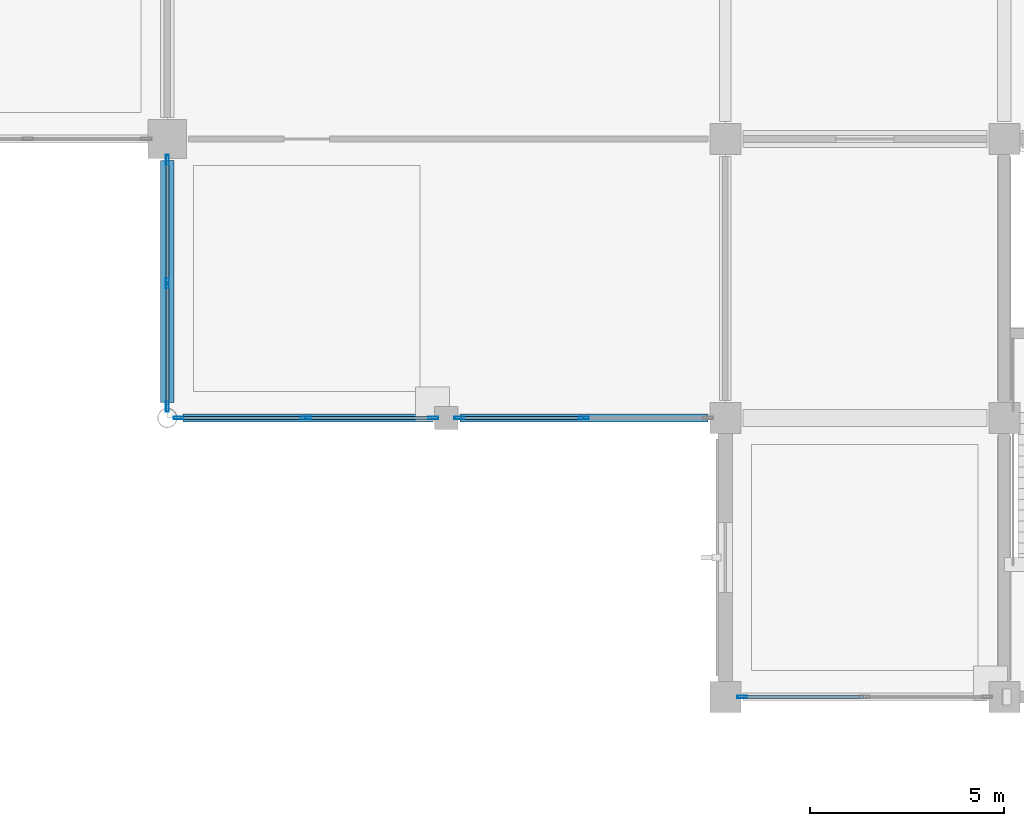
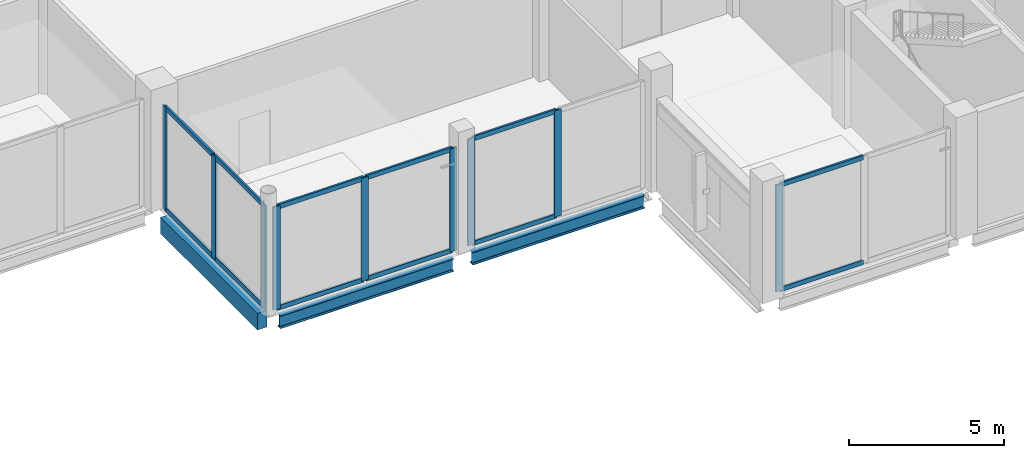
# One storey, part 16 of 99: 21 members, 3 beams, 4 elements without a shape of their own.
"""IFC4 building model written with IfcOpenShell, lengths in metres."""

from ifc_helpers import new_model, si_unit, direction, frame, origin, origin_2d, place, context, subcontext, project, spatial, rectangle, hollow_rectangle, i_section, extrude, material, material_profile, profile_set, type_object, element, aggregate, save


model = new_model("IFC4")

# Units and contexts
model_context = context("Model", 3, precision=1e-05, world=origin(), true_north=direction((0.0, 1.0)))
body_context = subcontext(model_context, "Body", "Model", "MODEL_VIEW")
ifc_project = project(units=[si_unit("LENGTHUNIT", "METRE"), si_unit("AREAUNIT", "SQUARE_METRE"), si_unit("VOLUMEUNIT", "CUBIC_METRE"), si_unit("PLANEANGLEUNIT", "RADIAN"), si_unit("MASSUNIT", "GRAM", prefix="KILO")], contexts=[model_context])

# Site, building, storey
site_placement = place(None, origin())
site = spatial("IfcSite", under=ifc_project, at=site_placement, CompositionType="ELEMENT")
building_placement = place(site_placement, origin())
building = spatial("IfcBuilding", under=site, at=building_placement, Name="Vesperath Aquatics Centre", CompositionType="ELEMENT")
storey_placement = place(building_placement, frame((0.0, 0.0, 5.39990234375)))
storey = spatial("IfcBuildingStorey", under=building, at=storey_placement, Name="L01", CompositionType="ELEMENT", Elevation=5.39990234375)

# Beams
ifc_material_1 = material(Name="Concrete C35", Category="concrete")
ifc_material_profile_1 = material_profile(ifc_material_1, rectangle(XDim=0.35009765625, YDim=0.64990234375, at=origin_2d()), Name="RC 350x650")
ifc_profile_set_1 = profile_set([ifc_material_profile_1], Name="Concrete C35")
beam_type_1 = type_object("IfcBeamType", Name="BM-G05", PredefinedType="BEAM", material=ifc_profile_set_1)
beam_1_placement = place(storey_placement, frame((100.800048828125, 7.60009765625, -0.5849609375), z_axis=(0.0, 1.0, 0.0), x_axis=(-1.0, 0.0, 0.0)))
element("IfcBeam", 1, at=beam_1_placement, inside=storey, type_object=beam_type_1, Name="Floor Girder B05 L01 15 B-C", PredefinedType="BEAM", context=body_context, shape_type="SweptSolid", body=[
    extrude(rectangle(XDim=0.35009765625, YDim=0.64990234375, at=origin_2d()), origin(), (0.0, 0.0, 1.0), 6.25),
])
ifc_material_2 = material(Name="Steel Q355D", Category="steel")
ifc_material_profile_2 = material_profile(ifc_material_2, i_section(OverallWidth=0.199951171875, OverallDepth=0.5, WebThickness=0.010009765625, FlangeThickness=0.01611328125, FilletRadius=0.02001953125, at=origin_2d()), Name="HN 500x200x10x16")
ifc_profile_set_2 = profile_set([ifc_material_profile_2], Name="Steel Q355D")
beam_type_2 = type_object("IfcBeamType", Name="BM-SP01", PredefinedType="SPANDREL", material=ifc_profile_set_2)
beam_2_placement = place(storey_placement, frame((101.199951171875, 7.199951171875, -0.510009765625), z_axis=(1.0, 0.0, 0.0), x_axis=(0.0, 1.0, 0.0)))
element("IfcBeam", 2, at=beam_2_placement, inside=storey, type_object=beam_type_2, Name="Floor Girder SP01 L01 B 15-16", PredefinedType="SPANDREL", context=body_context, shape_type="SweptSolid", body=[
    extrude(i_section(OverallWidth=0.199951171875, OverallDepth=0.5, WebThickness=0.010009765625, FlangeThickness=0.01611328125, FilletRadius=0.02001953125, at=origin_2d()), origin(), (0.0, 0.0, 1.0), 6.449951171875),
])
beam_3_placement = place(storey_placement, frame((108.35009765625, 7.199951171875, -0.510009765625), z_axis=(1.0, 0.0, 0.0), x_axis=(0.0, 1.0, 0.0)))
element("IfcBeam", 3, at=beam_3_placement, inside=storey, type_object=beam_type_2, Name="Floor Girder SP01 L01 B 16-17", PredefinedType="SPANDREL", context=body_context, shape_type="SweptSolid", body=[
    extrude(i_section(OverallWidth=0.199951171875, OverallDepth=0.5, WebThickness=0.010009765625, FlangeThickness=0.01611328125, FilletRadius=0.02001953125, at=origin_2d()), origin(), (0.0, 0.0, 1.0), 6.39990234375),
])

# Curtain wall, member
ifc_material_3 = material(Name="Thermally broken anodised bronze aluminium curtain wall", Category="aluminium")
curtain_wall_type = type_object("IfcCurtainWallType", Name="CW-06", PredefinedType="NOTDEFINED", material=ifc_material_3)
curtain_wall_1_placement = place(storey_placement, origin())
curtain_wall_1 = element("IfcCurtainWall", 4, at=curtain_wall_1_placement, inside=storey, type_object=curtain_wall_type, Name="Facade Curtain Wall CW06 L01_S_16_00", PredefinedType="NOTDEFINED")
ifc_material_4 = material(Name="Thermally broken anodised aluminium", Category="aluminium")
ifc_material_profile_3 = material_profile(ifc_material_4, hollow_rectangle(XDim=0.074951171875, YDim=0.260009765625, WallThickness=0.006103515625, at=origin_2d()), Name="CWM 75x260x6")
ifc_profile_set_3 = profile_set([ifc_material_profile_3], Name="Thermally broken anodised aluminium")
member_type_1 = type_object("IfcMemberType", Name="MB-CWM1", PredefinedType="MULLION", material=ifc_profile_set_3)
member_1_placement = place(storey_placement, frame((115.637451171875, 0.0, 0.0), z_axis=(0.0, 0.0, 1.0), x_axis=(0.0, 1.0, 0.0)))
member_1 = element("IfcMember", 5, at=member_1_placement, type_object=member_type_1, Name="CW06 mullion 1", PredefinedType="MULLION", context=body_context, shape_type="SweptSolid", body=[
    extrude(hollow_rectangle(XDim=0.074951171875, YDim=0.260009765625, WallThickness=0.006103515625, at=origin_2d()), origin(), (0.0, 0.0, 1.0), 4.190185546875),
])

# Curtain wall, members
curtain_wall_2_placement = place(storey_placement, origin())
curtain_wall_2 = element("IfcCurtainWall", 6, at=curtain_wall_2_placement, inside=storey, type_object=curtain_wall_type, Name="Facade Curtain Wall CW06 L01_S_14_01", PredefinedType="NOTDEFINED")
member_2_placement = place(storey_placement, frame((101.091552734375, 7.199951171875, 0.0), z_axis=(0.0, 0.0, 1.0), x_axis=(0.0, 1.0, 0.0)))
member_2 = element("IfcMember", 7, at=member_2_placement, type_object=member_type_1, Name="CW06 mullion 1", PredefinedType="MULLION", context=body_context, shape_type="SweptSolid", body=[
    extrude(hollow_rectangle(XDim=0.074951171875, YDim=0.260009765625, WallThickness=0.006103515625, at=origin_2d()), origin(), (0.0, 0.0, 1.0), 4.052001953125),
])
member_3_placement = place(storey_placement, frame((104.376953125, 7.199951171875, 0.0), z_axis=(0.0, 0.0, 1.0), x_axis=(0.0, 1.0, 0.0)))
member_3 = element("IfcMember", 8, at=member_3_placement, type_object=member_type_1, Name="CW06 mullion 2", PredefinedType="MULLION", context=body_context, shape_type="SweptSolid", body=[
    extrude(hollow_rectangle(XDim=0.074951171875, YDim=0.260009765625, WallThickness=0.006103515625, at=origin_2d()), origin(), (0.0, 0.0, 1.0), 4.052001953125),
])
member_4_placement = place(storey_placement, frame((107.66259765625, 7.199951171875, 0.0), z_axis=(0.0, 0.0, 1.0), x_axis=(0.0, 1.0, 0.0)))
member_4 = element("IfcMember", 9, at=member_4_placement, type_object=member_type_1, Name="CW06 mullion 3", PredefinedType="MULLION", context=body_context, shape_type="SweptSolid", body=[
    extrude(hollow_rectangle(XDim=0.074951171875, YDim=0.260009765625, WallThickness=0.006103515625, at=origin_2d()), origin(), (0.0, 0.0, 1.0), 4.052001953125),
])

curtain_wall_3_placement = place(storey_placement, origin())
curtain_wall_3 = element("IfcCurtainWall", 10, at=curtain_wall_3_placement, inside=storey, type_object=curtain_wall_type, Name="Facade Curtain Wall CW06 L01_S_15_01", PredefinedType="NOTDEFINED")
member_5_placement = place(storey_placement, frame((108.33740234375, 7.199951171875, 0.0), z_axis=(0.0, 0.0, 1.0), x_axis=(0.0, 1.0, 0.0)))
member_5 = element("IfcMember", 11, at=member_5_placement, type_object=member_type_1, Name="CW06 mullion 1", PredefinedType="MULLION", context=body_context, shape_type="SweptSolid", body=[
    extrude(hollow_rectangle(XDim=0.074951171875, YDim=0.260009765625, WallThickness=0.006103515625, at=origin_2d()), origin(), (0.0, 0.0, 1.0), 4.190185546875),
])
member_6_placement = place(storey_placement, frame((111.550048828125, 7.199951171875, 0.0), z_axis=(0.0, 0.0, 1.0), x_axis=(0.0, 1.0, 0.0)))
member_6 = element("IfcMember", 12, at=member_6_placement, type_object=member_type_1, Name="CW06 mullion 2", PredefinedType="MULLION", context=body_context, shape_type="SweptSolid", body=[
    extrude(hollow_rectangle(XDim=0.074951171875, YDim=0.260009765625, WallThickness=0.006103515625, at=origin_2d()), origin(), (0.0, 0.0, 1.0), 4.190185546875),
])

curtain_wall_4_placement = place(storey_placement, origin())
curtain_wall_4 = element("IfcCurtainWall", 13, at=curtain_wall_4_placement, inside=storey, type_object=curtain_wall_type, Name="Facade Curtain Wall CW06 L01_W_14_01", PredefinedType="NOTDEFINED")
member_7_placement = place(storey_placement, frame((100.800048828125, 7.491455078125, 0.0), z_axis=(0.0, 0.0, 1.0), x_axis=(-1.0, 0.0, 0.0)))
member_7 = element("IfcMember", 14, at=member_7_placement, type_object=member_type_1, Name="CW06 mullion 1", PredefinedType="MULLION", context=body_context, shape_type="SweptSolid", body=[
    extrude(hollow_rectangle(XDim=0.074951171875, YDim=0.260009765625, WallThickness=0.006103515625, at=origin_2d()), origin(), (0.0, 0.0, 1.0), 4.052001953125),
])
member_8_placement = place(storey_placement, frame((100.800048828125, 10.677001953125, 0.0), z_axis=(0.0, 0.0, 1.0), x_axis=(-1.0, 0.0, 0.0)))
member_8 = element("IfcMember", 15, at=member_8_placement, type_object=member_type_1, Name="CW06 mullion 2", PredefinedType="MULLION", context=body_context, shape_type="SweptSolid", body=[
    extrude(hollow_rectangle(XDim=0.074951171875, YDim=0.260009765625, WallThickness=0.006103515625, at=origin_2d()), origin(), (0.0, 0.0, 1.0), 4.052001953125),
])
member_9_placement = place(storey_placement, frame((100.800048828125, 13.862548828125, 0.0), z_axis=(0.0, 0.0, 1.0), x_axis=(-1.0, 0.0, 0.0)))
member_9 = element("IfcMember", 16, at=member_9_placement, type_object=member_type_1, Name="CW06 mullion 3", PredefinedType="MULLION", context=body_context, shape_type="SweptSolid", body=[
    extrude(hollow_rectangle(XDim=0.074951171875, YDim=0.260009765625, WallThickness=0.006103515625, at=origin_2d()), origin(), (0.0, 0.0, 1.0), 4.052001953125),
])

# Member
ifc_material_profile_4 = material_profile(ifc_material_4, hollow_rectangle(XDim=0.074951171875, YDim=0.179931640625, WallThickness=0.0048828125, at=origin_2d()), Name="CWT 75x180x5")
ifc_profile_set_4 = profile_set([ifc_material_profile_4], Name="Thermally broken anodised aluminium")
member_type_2 = type_object("IfcMemberType", Name="MB-CWT1", PredefinedType="USERDEFINED", material=ifc_profile_set_4)
member_10_placement = place(storey_placement, frame((115.675048828125, 0.0, 0.03759765625), z_axis=(1.0, 0.0, 0.0), x_axis=(0.0, 1.0, 0.0)))
member_10 = element("IfcMember", 17, at=member_10_placement, type_object=member_type_2, Name="CW06 transom 1.1", ObjectType="TRANSOM", PredefinedType="USERDEFINED", context=body_context, shape_type="SweptSolid", body=[
    extrude(hollow_rectangle(XDim=0.074951171875, YDim=0.179931640625, WallThickness=0.0048828125, at=origin_2d()), origin(), (0.0, 0.0, 1.0), 3.08740234375),
])

member_11_placement = place(storey_placement, frame((115.675048828125, 0.0, 4.152587890625), z_axis=(1.0, 0.0, 0.0), x_axis=(0.0, 1.0, 0.0)))
member_11 = element("IfcMember", 18, at=member_11_placement, type_object=member_type_2, Name="CW06 transom 1.2", ObjectType="TRANSOM", PredefinedType="USERDEFINED", context=body_context, shape_type="SweptSolid", body=[
    extrude(hollow_rectangle(XDim=0.074951171875, YDim=0.179931640625, WallThickness=0.0048828125, at=origin_2d()), origin(), (0.0, 0.0, 1.0), 3.08740234375),
])

aggregate(curtain_wall_1, [member_1, member_10, member_11])

member_12_placement = place(storey_placement, frame((101.12890625, 7.199951171875, 0.03759765625), z_axis=(1.0, 0.0, 0.0), x_axis=(0.0, 1.0, 0.0)))
member_12 = element("IfcMember", 19, at=member_12_placement, type_object=member_type_2, Name="CW06 transom 1.1", ObjectType="TRANSOM", PredefinedType="USERDEFINED", context=body_context, shape_type="SweptSolid", body=[
    extrude(hollow_rectangle(XDim=0.074951171875, YDim=0.179931640625, WallThickness=0.0048828125, at=origin_2d()), origin(), (0.0, 0.0, 1.0), 3.210693359375),
])

member_13_placement = place(storey_placement, frame((101.12890625, 7.199951171875, 4.0146484375), z_axis=(1.0, 0.0, 0.0), x_axis=(0.0, 1.0, 0.0)))
member_13 = element("IfcMember", 20, at=member_13_placement, type_object=member_type_2, Name="CW06 transom 1.2", ObjectType="TRANSOM", PredefinedType="USERDEFINED", context=body_context, shape_type="SweptSolid", body=[
    extrude(hollow_rectangle(XDim=0.074951171875, YDim=0.179931640625, WallThickness=0.0048828125, at=origin_2d()), origin(), (0.0, 0.0, 1.0), 3.210693359375),
])

member_14_placement = place(storey_placement, frame((104.41455078125, 7.199951171875, 0.03759765625), z_axis=(1.0, 0.0, 0.0), x_axis=(0.0, 1.0, 0.0)))
member_14 = element("IfcMember", 21, at=member_14_placement, type_object=member_type_2, Name="CW06 transom 2.1", ObjectType="TRANSOM", PredefinedType="USERDEFINED", context=body_context, shape_type="SweptSolid", body=[
    extrude(hollow_rectangle(XDim=0.074951171875, YDim=0.179931640625, WallThickness=0.0048828125, at=origin_2d()), origin(), (0.0, 0.0, 1.0), 3.21044921875),
])

member_15_placement = place(storey_placement, frame((104.41455078125, 7.199951171875, 4.0146484375), z_axis=(1.0, 0.0, 0.0), x_axis=(0.0, 1.0, 0.0)))
member_15 = element("IfcMember", 22, at=member_15_placement, type_object=member_type_2, Name="CW06 transom 2.2", ObjectType="TRANSOM", PredefinedType="USERDEFINED", context=body_context, shape_type="SweptSolid", body=[
    extrude(hollow_rectangle(XDim=0.074951171875, YDim=0.179931640625, WallThickness=0.0048828125, at=origin_2d()), origin(), (0.0, 0.0, 1.0), 3.21044921875),
])

aggregate(curtain_wall_2, [member_2, member_3, member_4, member_12, member_13, member_14, member_15])

member_16_placement = place(storey_placement, frame((108.375, 7.199951171875, 0.03759765625), z_axis=(1.0, 0.0, 0.0), x_axis=(0.0, 1.0, 0.0)))
member_16 = element("IfcMember", 23, at=member_16_placement, type_object=member_type_2, Name="CW06 transom 1.1", ObjectType="TRANSOM", PredefinedType="USERDEFINED", context=body_context, shape_type="SweptSolid", body=[
    extrude(hollow_rectangle(XDim=0.074951171875, YDim=0.179931640625, WallThickness=0.0048828125, at=origin_2d()), origin(), (0.0, 0.0, 1.0), 3.137451171875),
])

member_17_placement = place(storey_placement, frame((108.375, 7.199951171875, 4.152587890625), z_axis=(1.0, 0.0, 0.0), x_axis=(0.0, 1.0, 0.0)))
member_17 = element("IfcMember", 24, at=member_17_placement, type_object=member_type_2, Name="CW06 transom 1.2", ObjectType="TRANSOM", PredefinedType="USERDEFINED", context=body_context, shape_type="SweptSolid", body=[
    extrude(hollow_rectangle(XDim=0.074951171875, YDim=0.179931640625, WallThickness=0.0048828125, at=origin_2d()), origin(), (0.0, 0.0, 1.0), 3.137451171875),
])

aggregate(curtain_wall_3, [member_5, member_6, member_16, member_17])

member_18_placement = place(storey_placement, frame((100.800048828125, 7.529052734375, 0.03759765625), z_axis=(0.0, 1.0, 0.0), x_axis=(-1.0, 0.0, 0.0)))
member_18 = element("IfcMember", 25, at=member_18_placement, type_object=member_type_2, Name="CW06 transom 1.1", ObjectType="TRANSOM", PredefinedType="USERDEFINED", context=body_context, shape_type="SweptSolid", body=[
    extrude(hollow_rectangle(XDim=0.074951171875, YDim=0.179931640625, WallThickness=0.0048828125, at=origin_2d()), origin(), (0.0, 0.0, 1.0), 3.1103515625),
])

member_19_placement = place(storey_placement, frame((100.800048828125, 7.529052734375, 4.0146484375), z_axis=(0.0, 1.0, 0.0), x_axis=(-1.0, 0.0, 0.0)))
member_19 = element("IfcMember", 26, at=member_19_placement, type_object=member_type_2, Name="CW06 transom 1.2", ObjectType="TRANSOM", PredefinedType="USERDEFINED", context=body_context, shape_type="SweptSolid", body=[
    extrude(hollow_rectangle(XDim=0.074951171875, YDim=0.179931640625, WallThickness=0.0048828125, at=origin_2d()), origin(), (0.0, 0.0, 1.0), 3.1103515625),
])

member_20_placement = place(storey_placement, frame((100.800048828125, 10.714599609375, 0.03759765625), z_axis=(0.0, 1.0, 0.0), x_axis=(-1.0, 0.0, 0.0)))
member_20 = element("IfcMember", 27, at=member_20_placement, type_object=member_type_2, Name="CW06 transom 2.1", ObjectType="TRANSOM", PredefinedType="USERDEFINED", context=body_context, shape_type="SweptSolid", body=[
    extrude(hollow_rectangle(XDim=0.074951171875, YDim=0.179931640625, WallThickness=0.0048828125, at=origin_2d()), origin(), (0.0, 0.0, 1.0), 3.1103515625),
])

member_21_placement = place(storey_placement, frame((100.800048828125, 10.714599609375, 4.0146484375), z_axis=(0.0, 1.0, 0.0), x_axis=(-1.0, 0.0, 0.0)))
member_21 = element("IfcMember", 28, at=member_21_placement, type_object=member_type_2, Name="CW06 transom 2.2", ObjectType="TRANSOM", PredefinedType="USERDEFINED", context=body_context, shape_type="SweptSolid", body=[
    extrude(hollow_rectangle(XDim=0.074951171875, YDim=0.179931640625, WallThickness=0.0048828125, at=origin_2d()), origin(), (0.0, 0.0, 1.0), 3.1103515625),
])

aggregate(curtain_wall_4, [member_7, member_8, member_9, member_18, member_19, member_20, member_21])

save(model, "model.ifc")
